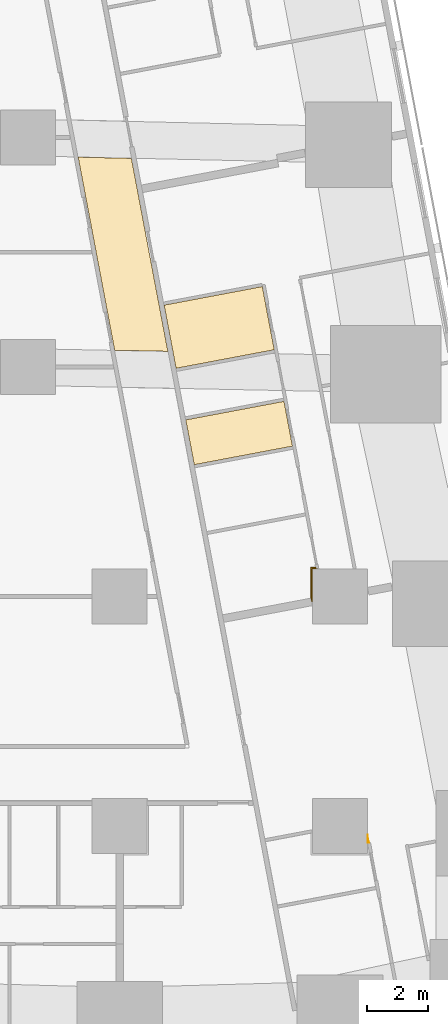
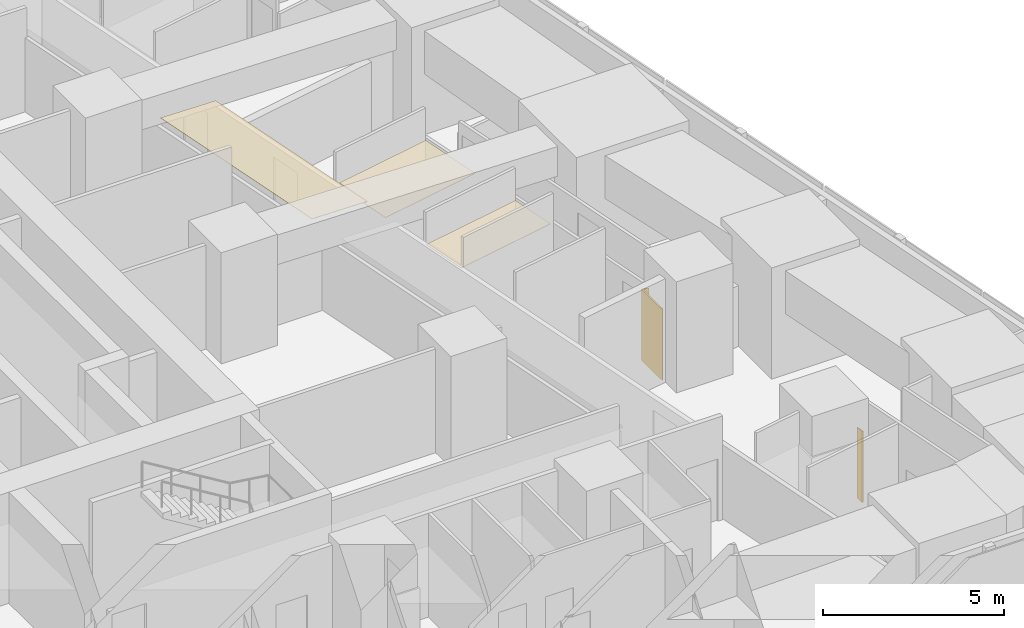
# One storey, part 17 of 18: 5 coverings.
"""IFC4 building model written with IfcOpenShell, lengths in metres."""

from ifc_helpers import new_model, si_unit, direction, frame, origin, place, context, subcontext, project, spatial, polyline, outline, extrude, material, layer, layer_set, type_object, element, save


model = new_model("IFC4")

# Units and contexts
model_context = context("Model", 3, precision=1e-05, world=origin(), true_north=direction((0.0, 1.0)))
body_context = subcontext(model_context, "Body", "Model", "MODEL_VIEW")
ifc_project = project(units=[si_unit("LENGTHUNIT", "METRE"), si_unit("AREAUNIT", "SQUARE_METRE"), si_unit("VOLUMEUNIT", "CUBIC_METRE"), si_unit("PLANEANGLEUNIT", "RADIAN"), si_unit("MASSUNIT", "GRAM", prefix="KILO")], contexts=[model_context])

# Site, building, storey
site_placement = place(None, origin())
site = spatial("IfcSite", under=ifc_project, at=site_placement, CompositionType="ELEMENT")
building_placement = place(site_placement, origin())
building = spatial("IfcBuilding", under=site, at=building_placement, Name="Sheger Commons Tower", CompositionType="ELEMENT")
storey_placement = place(building_placement, frame((0.0, 0.0, 31.25)))
storey = spatial("IfcBuildingStorey", under=building, at=storey_placement, Name="L07", CompositionType="ELEMENT", Elevation=31.25)

# Coverings
ifc_material_1 = material(Name="Moisture-resistant gypsum plasterboard 15 mm on a suspended galvanised steel grid", Category="steel")
ifc_layer_1 = layer(ifc_material_1, 0.014892578125)
ifc_layer_set_1 = layer_set([ifc_layer_1], Name="MOISTURE-RESISTANT CEILING 15")
covering_type_1 = type_object("IfcCoveringType", Name="MOISTURE-RESISTANT CEILING 15", PredefinedType="CEILING", material=ifc_layer_set_1)
covering_1_placement = place(storey_placement, frame((0.0, 0.0, 2.39990234375)))
element("IfcCovering", 1, at=covering_1_placement, inside=storey, type_object=covering_type_1, Name="L07-09.B1 ceiling", PredefinedType="CEILING", context=body_context, shape_type="SweptSolid", body=[
    extrude(outline(polyline([(37.843994140625, 22.4580078125), (41.052001953125, 23.06396484375), (40.662109375, 25.1279296875), (37.4541015625, 24.52197265625), (37.843994140625, 22.4580078125)])), origin(), (0.0, 0.0, 1.0), 0.01513671875),
])
covering_2_placement = place(storey_placement, frame((0.0, 0.0, 2.39990234375)))
element("IfcCovering", 2, at=covering_2_placement, inside=storey, type_object=covering_type_1, Name="L07-09.B2 ceiling", PredefinedType="CEILING", context=body_context, shape_type="SweptSolid", body=[
    extrude(outline(polyline([(38.43896484375, 19.30810546875), (41.64697265625, 19.9140625), (41.3701171875, 21.3779296875), (38.162109375, 20.77197265625), (38.43896484375, 19.30810546875)])), origin(), (0.0, 0.0, 1.0), 0.01513671875),
])
ifc_material_2 = material(Name="Gypsum plasterboard 15 mm on a suspended steel grid", Category="steel")
ifc_layer_2 = layer(ifc_material_2, 0.014892578125)
ifc_layer_set_2 = layer_set([ifc_layer_2], Name="SUSPENDED CEILING 15")
covering_type_2 = type_object("IfcCoveringType", Name="SUSPENDED CEILING 15", PredefinedType="CEILING", material=ifc_layer_set_2)
covering_3_placement = place(storey_placement, frame((0.0, 0.0, 2.699951171875)))
element("IfcCovering", 3, at=covering_3_placement, inside=storey, type_object=covering_type_2, Name="L07-CO ceiling", PredefinedType="CEILING", context=body_context, shape_type="SweptSolid", body=[
    extrude(outline(polyline([(37.575927734375, 23.011962890625), (36.385009765625, 29.318115234375), (34.64501953125, 29.35791015625), (35.8369140625, 23.048095703125), (37.575927734375, 23.011962890625)])), origin(), (0.0, 0.0, 1.0), 0.01513671875),
])
ifc_material_3 = material(Name="Moisture-resistant gypsum board 12.5 mm on 25 mm treated timber battens, tanked and tiled", Category="wood")
ifc_layer_3 = layer(ifc_material_3, 0.050048828125)
ifc_layer_set_3 = layer_set([ifc_layer_3], Name="WET-ROOM COLUMN LINING")
covering_type_3 = type_object("IfcCoveringType", Name="WET-ROOM COLUMN LINING", PredefinedType="CLADDING", material=ifc_layer_set_3)
covering_4_placement = place(storey_placement, origin())
element("IfcCovering", 4, at=covering_4_placement, inside=storey, type_object=covering_type_3, Name="Bathroom column lining C8 L07", PredefinedType="CLADDING", context=body_context, shape_type="SweptSolid", body=[
    extrude(outline(polyline([(44.10009765625, 7.220947265625), (44.14892578125, 6.9599609375), (44.10009765625, 6.950927734375), (44.10009765625, 7.220947265625)])), origin(), (0.0, 0.0, 1.0), 2.39990234375),
])
covering_5_placement = place(storey_placement, origin())
element("IfcCovering", 5, at=covering_5_placement, inside=storey, type_object=covering_type_3, Name="Store and laundry column lining C8 L07", PredefinedType="CLADDING", context=body_context, shape_type="SweptSolid", body=[
    extrude(outline(polyline([(42.40087890625, 15.949951171875), (42.409912109375, 15.90087890625), (42.458984375, 15.909912109375), (42.4609375, 15.89990234375), (42.300048828125, 15.89990234375), (42.300048828125, 14.830078125), (42.27587890625, 14.824951171875), (42.2529296875, 14.947998046875), (42.25, 14.947021484375), (42.25, 15.949951171875), (42.40087890625, 15.949951171875)])), origin(), (0.0, 0.0, 1.0), 2.39990234375),
])

save(model, "model.ifc")
